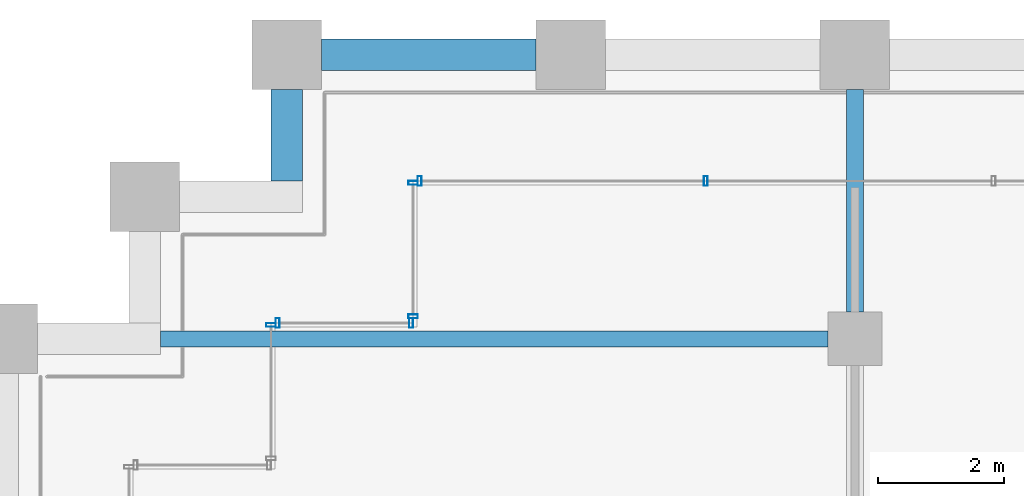
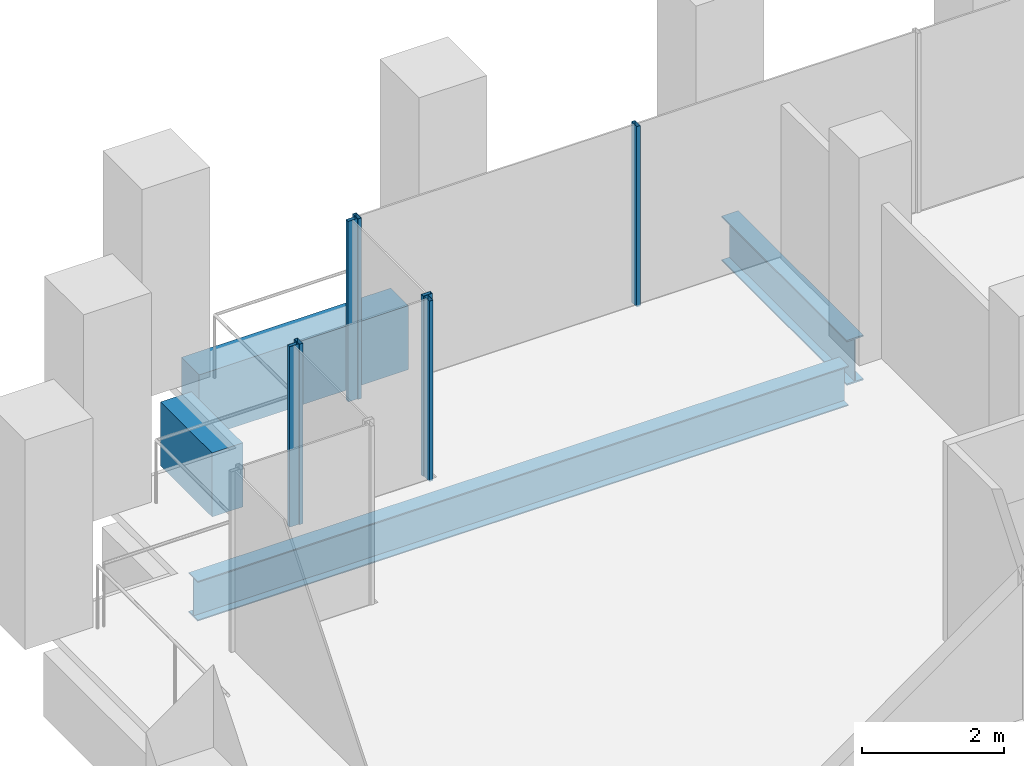
# One storey, part 26 of 56: 7 members, 4 beams, 4 elements without a shape of their own.
"""IFC4 building model written with IfcOpenShell, lengths in metres."""

from ifc_helpers import new_model, si_unit, direction, frame, origin, origin_2d, place, context, subcontext, project, spatial, rectangle, hollow_rectangle, i_section, extrude, material, material_profile, profile_set, type_object, element, aggregate, save


model = new_model("IFC4")

# Units and contexts
model_context = context("Model", 3, precision=1e-05, world=origin(), true_north=direction((0.0, 1.0)))
body_context = subcontext(model_context, "Body", "Model", "MODEL_VIEW")
ifc_project = project(units=[si_unit("LENGTHUNIT", "METRE"), si_unit("AREAUNIT", "SQUARE_METRE"), si_unit("VOLUMEUNIT", "CUBIC_METRE"), si_unit("PLANEANGLEUNIT", "RADIAN"), si_unit("MASSUNIT", "GRAM", prefix="KILO")], contexts=[model_context])

# Site, building, storey
site_placement = place(None, origin())
site = spatial("IfcSite", under=ifc_project, at=site_placement, CompositionType="ELEMENT")
building_placement = place(site_placement, origin())
building = spatial("IfcBuilding", under=site, at=building_placement, Name="Altepetl Exchange Towers", CompositionType="ELEMENT")
storey_placement = place(building_placement, frame((0.0, 0.0, 51.0)))
storey = spatial("IfcBuildingStorey", under=building, at=storey_placement, Name="L11", CompositionType="ELEMENT", Elevation=51.0)

# Beams
ifc_material_1 = material(Name="Steel S355", Category="steel")
ifc_material_profile_1 = material_profile(ifc_material_1, i_section(OverallWidth=0.25390625, OverallDepth=0.68408203125, WebThickness=0.012451171875, FlangeThickness=0.018798828125, at=origin_2d()), Name="W27X94")
ifc_profile_set_1 = profile_set([ifc_material_profile_1], Name="Steel S355")
beam_type_1 = type_object("IfcBeamType", Name="Floor beam W27X94", PredefinedType="BEAM", material=ifc_profile_set_1)
beam_1_placement = place(storey_placement, frame((29.5, 67.5, -0.491943359375), z_axis=(1.0, 0.0, 0.0), x_axis=(0.0, 1.0, 0.0)))
element("IfcBeam", 1, at=beam_1_placement, inside=storey, type_object=beam_type_1, Name="bm:A:L11:023", PredefinedType="BEAM", context=body_context, shape_type="SweptSolid", body=[
    extrude(i_section(OverallWidth=0.25390625, OverallDepth=0.68408203125, WebThickness=0.012451171875, FlangeThickness=0.018798828125, at=origin_2d()), origin(), (0.0, 0.0, 1.0), 10.574951171875),
])
ifc_material_profile_2 = material_profile(ifc_material_1, i_section(OverallWidth=0.26806640625, OverallDepth=0.77392578125, WebThickness=0.015380859375, FlangeThickness=0.025390625, at=origin_2d()), Name="W30X132")
ifc_profile_set_2 = profile_set([ifc_material_profile_2], Name="Steel S355")
beam_type_2 = type_object("IfcBeamType", Name="Girder W30X132", PredefinedType="BEAM", material=ifc_profile_set_2)
beam_2_placement = place(storey_placement, frame((40.5, 71.449951171875, -0.537109375), z_axis=(0.0, -1.0, 0.0), x_axis=(1.0, 0.0, 0.0)))
element("IfcBeam", 2, at=beam_2_placement, inside=storey, type_object=beam_type_2, Name="gd:A:L11:003", PredefinedType="BEAM", context=body_context, shape_type="SweptSolid", body=[
    extrude(i_section(OverallWidth=0.26806640625, OverallDepth=0.77392578125, WebThickness=0.015380859375, FlangeThickness=0.025390625, at=origin_2d()), origin(), (0.0, 0.0, 1.0), 3.52490234375),
])

# Curtain wall, members
ifc_material_2 = material(Name="Aluminium 6063-T6 glazing", Category="aluminium")
curtain_wall_type = type_object("IfcCurtainWallType", Name="Loggia glazing system", PredefinedType="NOTDEFINED", material=ifc_material_2)
curtain_wall_1_placement = place(storey_placement, origin())
curtain_wall_1 = element("IfcCurtainWall", 3, at=curtain_wall_1_placement, inside=storey, type_object=curtain_wall_type, Name="CW1 run", PredefinedType="NOTDEFINED")
ifc_material_3 = material(Name="Aluminium 6063-T6", Category="aluminium")
ifc_material_profile_3 = material_profile(ifc_material_3, hollow_rectangle(XDim=0.06005859375, YDim=0.14990234375, WallThickness=0.0029296875, at=origin_2d()), Name="Mullion 60x150 aluminium")
ifc_profile_set_3 = profile_set([ifc_material_profile_3], Name="Aluminium 6063-T6")
member_type = type_object("IfcMemberType", Name="Mullion 60x150 aluminium", PredefinedType="MULLION", material=ifc_profile_set_3)
member_1_placement = place(storey_placement, frame((38.1357421875, 70.0, 0.0), z_axis=(0.0, 0.0, 1.0), x_axis=(-1.0, 0.0, 0.0)))
member_1 = element("IfcMember", 4, at=member_1_placement, type_object=member_type, Name="MU1 mullion", PredefinedType="MULLION", context=body_context, shape_type="SweptSolid", body=[
    extrude(hollow_rectangle(XDim=0.06005859375, YDim=0.14990234375, WallThickness=0.0029296875, at=origin_2d()), origin(), (0.0, 0.0, 1.0), 3.10009765625),
])
member_2_placement = place(storey_placement, frame((33.60498046875, 70.0, 0.0), z_axis=(0.0, 0.0, 1.0), x_axis=(-1.0, 0.0, 0.0)))
member_2 = element("IfcMember", 5, at=member_2_placement, type_object=member_type, Name="MU1 mullion", PredefinedType="MULLION", context=body_context, shape_type="SweptSolid", body=[
    extrude(hollow_rectangle(XDim=0.06005859375, YDim=0.14990234375, WallThickness=0.0029296875, at=origin_2d()), origin(), (0.0, 0.0, 1.0), 3.10009765625),
])
aggregate(curtain_wall_1, [member_1, member_2])

curtain_wall_2_placement = place(storey_placement, origin())
curtain_wall_2 = element("IfcCurtainWall", 6, at=curtain_wall_2_placement, inside=storey, type_object=curtain_wall_type, Name="CW1 run", PredefinedType="NOTDEFINED")
member_3_placement = place(storey_placement, frame((33.5, 69.969970703125, 0.0), z_axis=(0.0, 0.0, 1.0), x_axis=(0.0, -1.0, 0.0)))
member_3 = element("IfcMember", 7, at=member_3_placement, type_object=member_type, Name="MU1 mullion", PredefinedType="MULLION", context=body_context, shape_type="SweptSolid", body=[
    extrude(hollow_rectangle(XDim=0.06005859375, YDim=0.14990234375, WallThickness=0.0029296875, at=origin_2d()), origin(), (0.0, 0.0, 1.0), 3.10009765625),
])
member_4_placement = place(storey_placement, frame((33.5, 67.85498046875, 0.0), z_axis=(0.0, 0.0, 1.0), x_axis=(0.0, -1.0, 0.0)))
member_4 = element("IfcMember", 8, at=member_4_placement, type_object=member_type, Name="MU1 mullion", PredefinedType="MULLION", context=body_context, shape_type="SweptSolid", body=[
    extrude(hollow_rectangle(XDim=0.06005859375, YDim=0.14990234375, WallThickness=0.0029296875, at=origin_2d()), origin(), (0.0, 0.0, 1.0), 3.10009765625),
])
aggregate(curtain_wall_2, [member_3, member_4])

curtain_wall_3_placement = place(storey_placement, origin())
curtain_wall_3 = element("IfcCurtainWall", 9, at=curtain_wall_3_placement, inside=storey, type_object=curtain_wall_type, Name="CW1 run", PredefinedType="NOTDEFINED")
member_5_placement = place(storey_placement, frame((33.469970703125, 67.75, 0.0), z_axis=(0.0, 0.0, 1.0), x_axis=(-1.0, 0.0, 0.0)))
member_5 = element("IfcMember", 10, at=member_5_placement, type_object=member_type, Name="MU1 mullion", PredefinedType="MULLION", context=body_context, shape_type="SweptSolid", body=[
    extrude(hollow_rectangle(XDim=0.06005859375, YDim=0.14990234375, WallThickness=0.0029296875, at=origin_2d()), origin(), (0.0, 0.0, 1.0), 3.10009765625),
])
member_6_placement = place(storey_placement, frame((31.35498046875, 67.75, 0.0), z_axis=(0.0, 0.0, 1.0), x_axis=(-1.0, 0.0, 0.0)))
member_6 = element("IfcMember", 11, at=member_6_placement, type_object=member_type, Name="MU1 mullion", PredefinedType="MULLION", context=body_context, shape_type="SweptSolid", body=[
    extrude(hollow_rectangle(XDim=0.06005859375, YDim=0.14990234375, WallThickness=0.0029296875, at=origin_2d()), origin(), (0.0, 0.0, 1.0), 3.10009765625),
])
aggregate(curtain_wall_3, [member_5, member_6])

# Curtain wall, member
curtain_wall_4_placement = place(storey_placement, origin())
curtain_wall_4 = element("IfcCurtainWall", 12, at=curtain_wall_4_placement, inside=storey, type_object=curtain_wall_type, Name="CW1 run", PredefinedType="NOTDEFINED")
member_7_placement = place(storey_placement, frame((31.25, 67.719970703125, 0.0), z_axis=(0.0, 0.0, 1.0), x_axis=(0.0, -1.0, 0.0)))
member_7 = element("IfcMember", 13, at=member_7_placement, type_object=member_type, Name="MU1 mullion", PredefinedType="MULLION", context=body_context, shape_type="SweptSolid", body=[
    extrude(hollow_rectangle(XDim=0.06005859375, YDim=0.14990234375, WallThickness=0.0029296875, at=origin_2d()), origin(), (0.0, 0.0, 1.0), 3.10009765625),
])
aggregate(curtain_wall_4, [member_7])

# Beams
ifc_material_4 = material(Name="Concrete C50/60 precast with tezontle facing", Category="concrete")
ifc_material_profile_4 = material_profile(ifc_material_4, rectangle(XDim=0.5, YDim=1.10009765625, at=origin_2d()), Name="500 x 1100")
ifc_profile_set_4 = profile_set([ifc_material_profile_4], Name="Concrete C50/60 precast with tezontle facing")
beam_type_3 = type_object("IfcBeamType", Name="Spandrel beam 500x1100 tezontle", PredefinedType="SPANDREL", material=ifc_profile_set_4)
beam_3_placement = place(storey_placement, frame((35.449951171875, 72.0, -0.699951171875), z_axis=(-1.0, 0.0, 0.0), x_axis=(0.0, -1.0, 0.0)))
element("IfcBeam", 14, at=beam_3_placement, inside=storey, type_object=beam_type_3, Name="sp:A:L11:031", PredefinedType="SPANDREL", context=body_context, shape_type="SweptSolid", body=[
    extrude(rectangle(XDim=0.5, YDim=1.10009765625, at=origin_2d()), origin(), (0.0, 0.0, 1.0), 3.39990234375),
])
beam_4_placement = place(storey_placement, frame((31.5, 71.449951171875, -0.699951171875), z_axis=(0.0, -1.0, 0.0), x_axis=(1.0, 0.0, 0.0)))
element("IfcBeam", 15, at=beam_4_placement, inside=storey, type_object=beam_type_3, Name="sp:A:L11:032", PredefinedType="SPANDREL", context=body_context, shape_type="SweptSolid", body=[
    extrude(rectangle(XDim=0.5, YDim=1.10009765625, at=origin_2d()), origin(), (0.0, 0.0, 1.0), 1.449951171875),
])

save(model, "model.ifc")
